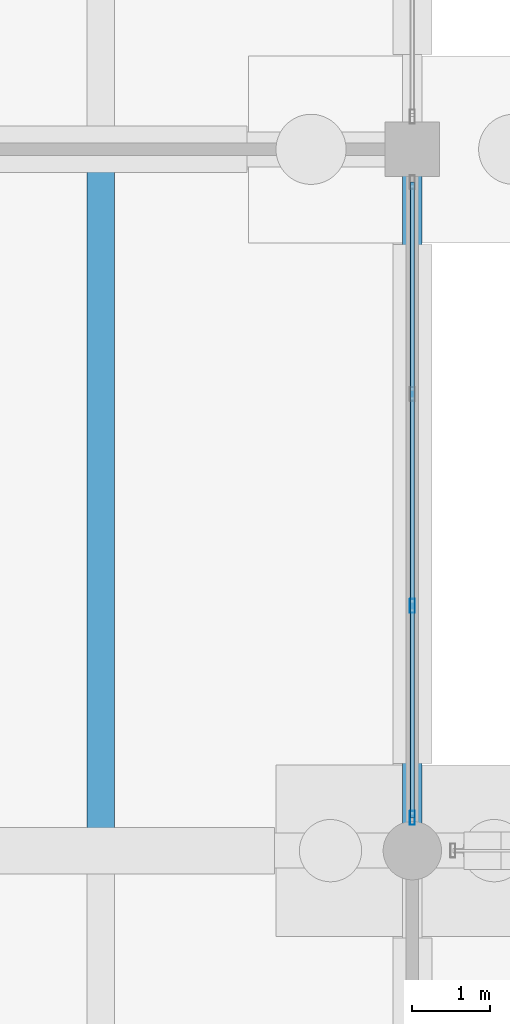
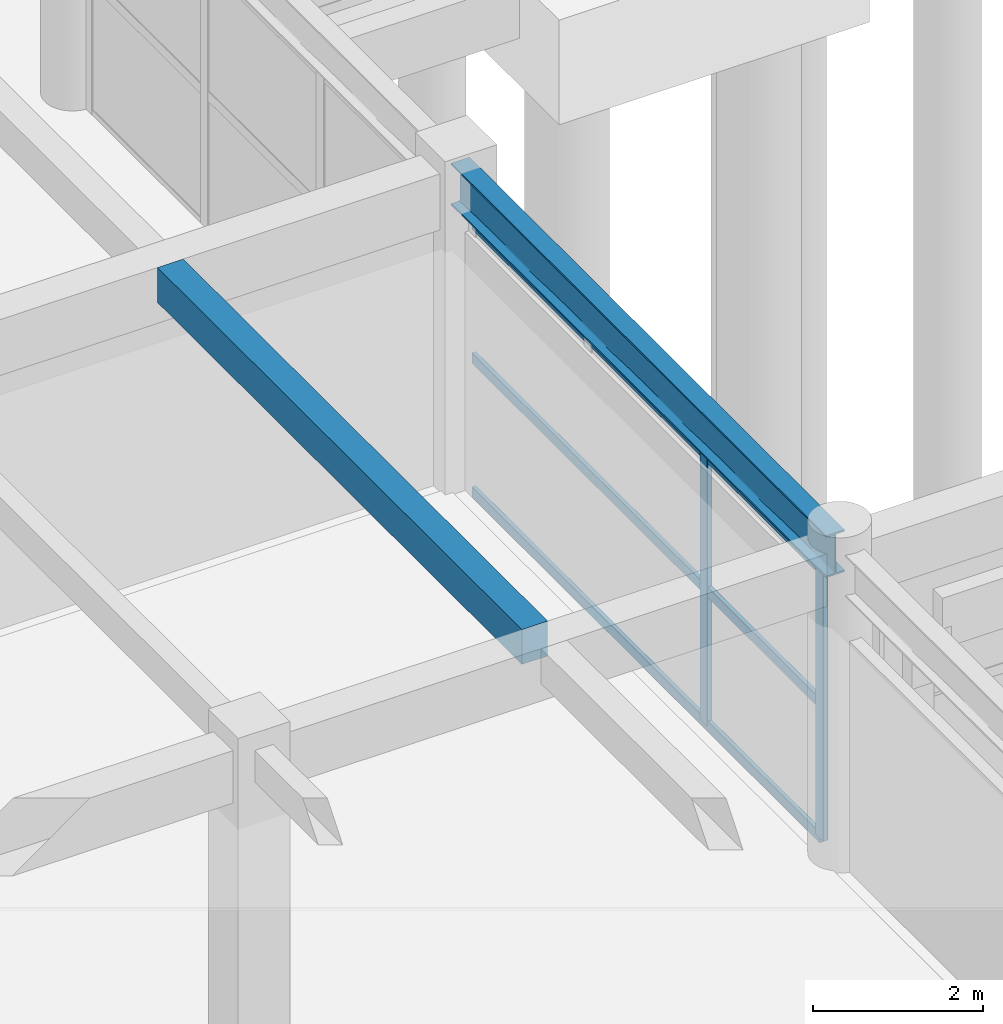
# One storey, part 50 of 147: 5 members, 2 beams, 1 element without a shape of its own.
"""IFC4 building model written with IfcOpenShell, lengths in metres."""

from ifc_helpers import new_model, si_unit, direction, frame, origin, origin_2d, place, context, subcontext, project, spatial, rectangle, hollow_rectangle, i_section, extrude, material, material_profile, profile_set, type_object, element, aggregate, save


model = new_model("IFC4")

# Units and contexts
model_context = context("Model", 3, precision=1e-05, world=origin(), true_north=direction((0.0, 1.0)))
body_context = subcontext(model_context, "Body", "Model", "MODEL_VIEW")
ifc_project = project(units=[si_unit("LENGTHUNIT", "METRE"), si_unit("AREAUNIT", "SQUARE_METRE"), si_unit("VOLUMEUNIT", "CUBIC_METRE"), si_unit("PLANEANGLEUNIT", "RADIAN"), si_unit("MASSUNIT", "GRAM", prefix="KILO")], contexts=[model_context])

# Site, building, storey
site_placement = place(None, origin())
site = spatial("IfcSite", under=ifc_project, at=site_placement, CompositionType="ELEMENT")
building_placement = place(site_placement, origin())
building = spatial("IfcBuilding", under=site, at=building_placement, Name="Varnabhumi Central Station", CompositionType="ELEMENT")
storey_placement = place(building_placement, origin())
storey = spatial("IfcBuildingStorey", under=building, at=storey_placement, Name="L00", CompositionType="ELEMENT", Elevation=0.0)

# Beams
ifc_material_1 = material(Name="Concrete M40", Category="concrete")
ifc_material_profile_1 = material_profile(ifc_material_1, rectangle(XDim=0.35009765625, YDim=0.5, at=origin_2d()), Name="Concrete M40", Category="concrete")
ifc_profile_set_1 = profile_set([ifc_material_profile_1], Name="Concrete M40")
beam_type_1 = type_object("IfcBeamType", Name="BM-RC-350x500", PredefinedType="JOIST", material=ifc_profile_set_1)
beam_1_placement = place(storey_placement, frame((44.0, 89.22509765625, 4.300048828125), z_axis=(0.0, 1.0, 0.0), x_axis=(-1.0, 0.0, 0.0)))
element("IfcBeam", 1, at=beam_1_placement, inside=storey, type_object=beam_type_1, Name="Secondary Joist L00-6/7:L-M", PredefinedType="JOIST", context=body_context, shape_type="SweptSolid", body=[
    extrude(rectangle(XDim=0.35009765625, YDim=0.5, at=origin_2d()), origin(), (0.0, 0.0, 1.0), 8.5498046875),
])
ifc_material_2 = material(Name="Structural steel E350", Category="steel")
ifc_material_profile_2 = material_profile(ifc_material_2, i_section(OverallWidth=0.25, OverallDepth=0.60009765625, WebThickness=0.01171875, FlangeThickness=0.023681640625, FilletRadius=0.01708984375, at=origin_2d()), Name="Structural steel E350", Category="steel")
ifc_profile_set_2 = profile_set([ifc_material_profile_2], Name="Structural steel E350")
beam_type_2 = type_object("IfcBeamType", Name="BM-SEC-ISWB600", PredefinedType="BEAM", material=ifc_profile_set_2)
beam_2_placement = place(storey_placement, frame((48.0, 89.10009765625, 4.25), z_axis=(0.0, 1.0, 0.0), x_axis=(-1.0, 0.0, 0.0)))
element("IfcBeam", 2, at=beam_2_placement, inside=storey, type_object=beam_type_2, Name="Beam L00-7:L-M", PredefinedType="BEAM", context=body_context, shape_type="SweptSolid", body=[
    extrude(i_section(OverallWidth=0.25, OverallDepth=0.60009765625, WebThickness=0.01171875, FlangeThickness=0.023681640625, FilletRadius=0.01708984375, at=origin_2d()), origin(), (0.0, 0.0, 1.0), 8.7998046875),
])

# Curtain wall, members
ifc_material_3 = material(Name="Anodised aluminium 6063-T6", Category="aluminium")
curtain_wall_type = type_object("IfcCurtainWallType", Name="CW-PATIO-LOGGIA-L0", PredefinedType="NOTDEFINED", material=ifc_material_3)
curtain_wall_placement = place(storey_placement, origin())
curtain_wall = element("IfcCurtainWall", 3, at=curtain_wall_placement, inside=storey, type_object=curtain_wall_type, Name="Curtain Wall CW-NP0E1", PredefinedType="NOTDEFINED")
ifc_material_profile_3 = material_profile(ifc_material_3, hollow_rectangle(XDim=0.06494140625, YDim=0.179931640625, WallThickness=0.00390625, InnerFilletRadius=0.001953125, OuterFilletRadius=0.006103515625, at=origin_2d()), Name="Anodised aluminium 6063-T6", Category="aluminium")
ifc_profile_set_3 = profile_set([ifc_material_profile_3], Name="Anodised aluminium 6063-T6")
member_type_1 = type_object("IfcMemberType", Name="CW-MUL-180", PredefinedType="MULLION", material=ifc_profile_set_3)
member_1_placement = place(storey_placement, frame((48.0, 89.419921875, 0.0), z_axis=(0.0, 0.0, 1.0), x_axis=(1.0, 0.0, 0.0)))
member_1 = element("IfcMember", 4, at=member_1_placement, type_object=member_type_1, Name="Curtain Wall Mullion CW-NP0E1-M1", PredefinedType="MULLION", context=body_context, shape_type="SweptSolid", body=[
    extrude(hollow_rectangle(XDim=0.06494140625, YDim=0.179931640625, WallThickness=0.00390625, InnerFilletRadius=0.001953125, OuterFilletRadius=0.006103515625, at=origin_2d()), origin(), (0.0, 0.0, 1.0), 3.840087890625),
])
member_2_placement = place(storey_placement, frame((48.0, 92.139892578125, 0.0), z_axis=(0.0, 0.0, 1.0), x_axis=(1.0, 0.0, 0.0)))
member_2 = element("IfcMember", 5, at=member_2_placement, type_object=member_type_1, Name="Curtain Wall Mullion CW-NP0E1-M2", PredefinedType="MULLION", context=body_context, shape_type="SweptSolid", body=[
    extrude(hollow_rectangle(XDim=0.06494140625, YDim=0.179931640625, WallThickness=0.00390625, InnerFilletRadius=0.001953125, OuterFilletRadius=0.006103515625, at=origin_2d()), origin(), (0.0, 0.0, 1.0), 3.840087890625),
])
ifc_material_profile_4 = material_profile(ifc_material_3, hollow_rectangle(XDim=0.06005859375, YDim=0.14990234375, WallThickness=0.00390625, InnerFilletRadius=0.001953125, OuterFilletRadius=0.006103515625, at=origin_2d()), Name="Anodised aluminium 6063-T6", Category="aluminium")
ifc_profile_set_4 = profile_set([ifc_material_profile_4], Name="Anodised aluminium 6063-T6")
member_type_2 = type_object("IfcMemberType", Name="CW-TR-150", PredefinedType="USERDEFINED", material=ifc_profile_set_4)
member_3_placement = place(storey_placement, frame((48.0, 89.419921875, 0.0), z_axis=(0.0, 1.0, 0.0), x_axis=(-1.0, 0.0, 0.0)))
member_3 = element("IfcMember", 6, at=member_3_placement, type_object=member_type_2, Name="Curtain Wall Transom CW-NP0E1-T1", ObjectType="TRANSOM", PredefinedType="USERDEFINED", context=body_context, shape_type="SweptSolid", body=[
    extrude(hollow_rectangle(XDim=0.06005859375, YDim=0.14990234375, WallThickness=0.00390625, InnerFilletRadius=0.001953125, OuterFilletRadius=0.006103515625, at=origin_2d()), origin(), (0.0, 0.0, 1.0), 8.16015625),
])
member_4_placement = place(storey_placement, frame((48.0, 89.419921875, 1.919921875), z_axis=(0.0, 1.0, 0.0), x_axis=(-1.0, 0.0, 0.0)))
member_4 = element("IfcMember", 7, at=member_4_placement, type_object=member_type_2, Name="Curtain Wall Transom CW-NP0E1-T2", ObjectType="TRANSOM", PredefinedType="USERDEFINED", context=body_context, shape_type="SweptSolid", body=[
    extrude(hollow_rectangle(XDim=0.06005859375, YDim=0.14990234375, WallThickness=0.00390625, InnerFilletRadius=0.001953125, OuterFilletRadius=0.006103515625, at=origin_2d()), origin(), (0.0, 0.0, 1.0), 8.16015625),
])
member_5_placement = place(storey_placement, frame((48.0, 89.419921875, 3.840087890625), z_axis=(0.0, 1.0, 0.0), x_axis=(-1.0, 0.0, 0.0)))
member_5 = element("IfcMember", 8, at=member_5_placement, type_object=member_type_2, Name="Curtain Wall Transom CW-NP0E1-T3", ObjectType="TRANSOM", PredefinedType="USERDEFINED", context=body_context, shape_type="SweptSolid", body=[
    extrude(hollow_rectangle(XDim=0.06005859375, YDim=0.14990234375, WallThickness=0.00390625, InnerFilletRadius=0.001953125, OuterFilletRadius=0.006103515625, at=origin_2d()), origin(), (0.0, 0.0, 1.0), 8.16015625),
])
aggregate(curtain_wall, [member_1, member_2, member_3, member_4, member_5])

save(model, "model.ifc")
